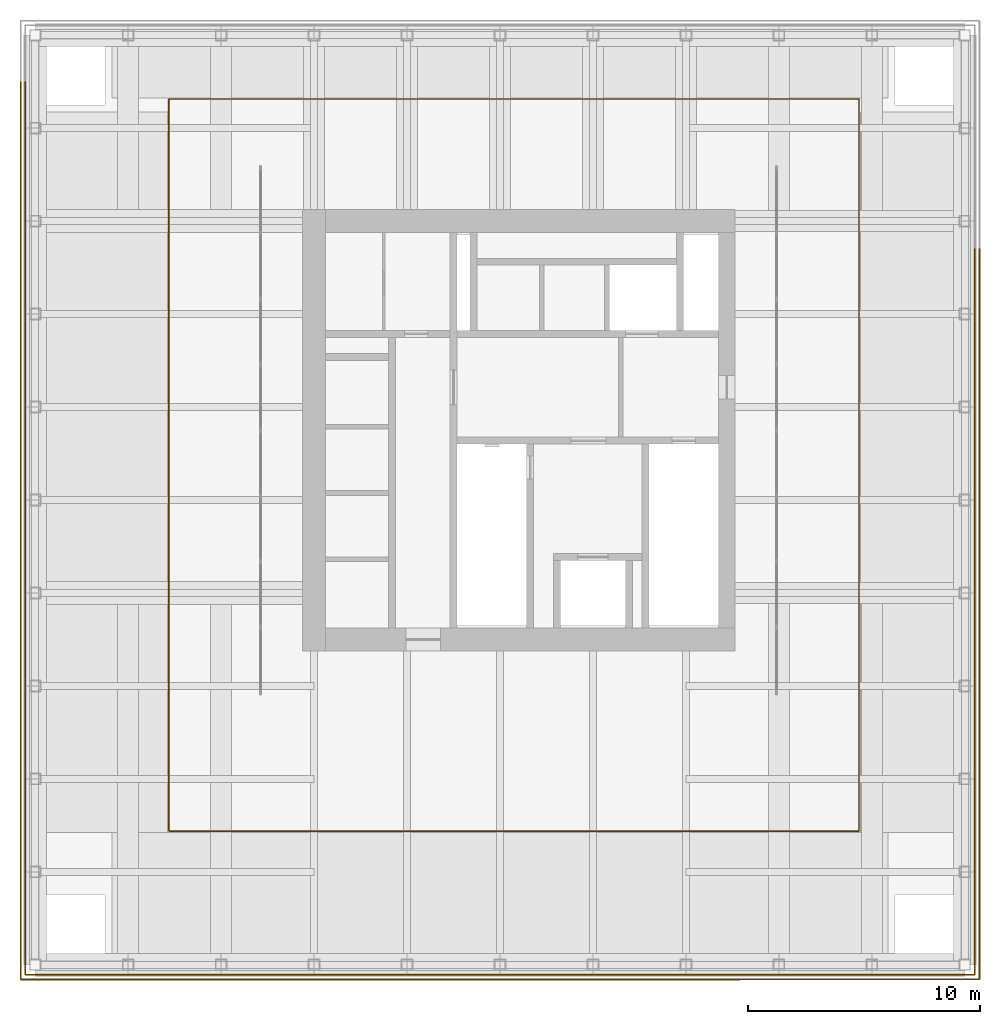
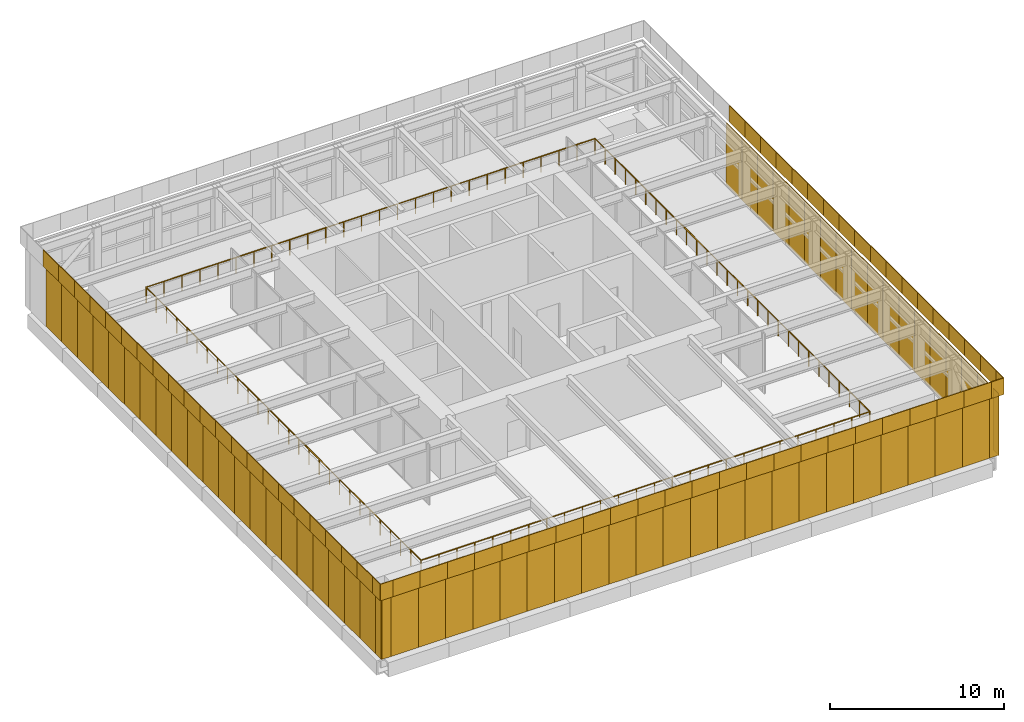
# One storey, part 9 of 11: 64 coverings, 64 shading devices, 2 railings.
"""IFC4 building model written with IfcOpenShell, lengths in metres."""

import ifcopenshell
import ifcopenshell.guid

model = None  # the IFC model being written
_history = None  # IfcOwnerHistory: only IFC2X3 demands one
_inside = {}  # id of a spatial element -> (the spatial element, [elements in it])
_under = {}  # id of a project, library or spatial element -> (it, [spatial elements below it])
_declared = {}  # id of a project -> (the project, [libraries it declares])
_typed = {}  # id of a type object -> (the type object, [elements of that type])
_made_of = {}  # id of a material, layer set ... -> (it, [elements and type objects made of it])


def new_model(schema):
    """Start an empty IFC model of exactly this schema.

    Asked for "IFC4X3", IfcOpenShell would pick the latest addendum, in which some entities
    have other attributes; the version numbers below select the first issue.
    IFC2X3 requires an IfcOwnerHistory on every rooted entity: one is made here for all.
    """
    global model, _history
    if schema == "IFC4X3":
        model = ifcopenshell.file(schema_version=(4, 3, 0, 0))
    else:
        model = ifcopenshell.file(schema=schema)
    _inside.clear()
    _under.clear()
    _declared.clear()
    _typed.clear()
    _made_of.clear()
    _history = None
    if model.schema == "IFC2X3":
        org = make("IfcOrganization", Name="unknown")
        user = make(
            "IfcPersonAndOrganization",
            ThePerson=make("IfcPerson", FamilyName="unknown"),
            TheOrganization=org,
        )
        app = make(
            "IfcApplication",
            ApplicationDeveloper=org,
            Version="unknown",
            ApplicationFullName="unknown",
            ApplicationIdentifier="unknown",
        )
        _history = make(
            "IfcOwnerHistory",
            OwningUser=user,
            OwningApplication=app,
            ChangeAction="ADDED",
            CreationDate=0,
        )
    return model


def make(cls, **values):
    """One entity of the class cls with the attributes given. An attribute that is None is left unset."""
    return model.create_entity(
        cls, **{name: value for name, value in values.items() if value is not None}
    )


def rooted(cls, **values):
    """An entity with a GlobalId (a new one), such as an element, a storey or a relation."""
    return make(cls, GlobalId=ifcopenshell.guid.new(), OwnerHistory=_history, **values)


def si_unit(unit_type, name, prefix=None):
    """IfcSIUnit, for example si_unit("LENGTHUNIT", "METRE", prefix="MILLI")."""
    return make("IfcSIUnit", UnitType=unit_type, Prefix=prefix, Name=name)


def assignment(units):
    """IfcUnitAssignment: the units of a project."""
    return None if units is None else make("IfcUnitAssignment", Units=units)


def point(xyz):
    """IfcCartesianPoint."""
    return None if xyz is None else make("IfcCartesianPoint", Coordinates=xyz)


def direction(xyz):
    """IfcDirection."""
    return None if xyz is None else make("IfcDirection", DirectionRatios=xyz)


def frame(location, z_axis=None, x_axis=None):
    """IfcAxis2Placement3D, a coordinate frame: its origin and axes. An axis left out is left unset."""
    return make(
        "IfcAxis2Placement3D",
        Location=point(location),
        Axis=direction(z_axis),
        RefDirection=direction(x_axis),
    )


def frame_2d(location, x_axis=None):
    """IfcAxis2Placement2D, a coordinate frame in the plane: its origin and x axis."""
    return make(
        "IfcAxis2Placement2D", Location=point(location), RefDirection=direction(x_axis)
    )


def origin():
    """The frame at (0, 0, 0) with its axes left unset."""
    return frame((0.0, 0.0, 0.0))


def origin_2d():
    """The frame at (0, 0) in the plane with its x axis left unset."""
    return frame_2d((0.0, 0.0))


def place(relative_to, where):
    """IfcLocalPlacement: puts the frame where relative to a parent placement (None: the world)."""
    return make(
        "IfcLocalPlacement", PlacementRelTo=relative_to, RelativePlacement=where
    )


def context(
    kind, dimensions, precision=None, world=None, true_north=None, identifier=None
):
    """IfcGeometricRepresentationContext, for example the 3D "Model" context."""
    return make(
        "IfcGeometricRepresentationContext",
        ContextIdentifier=identifier,
        ContextType=kind,
        CoordinateSpaceDimension=dimensions,
        Precision=precision,
        WorldCoordinateSystem=world,
        TrueNorth=true_north,
    )


def subcontext(parent, identifier, kind, view, scale=None):
    """IfcGeometricRepresentationSubContext, for example "Body" below "Model"."""
    return make(
        "IfcGeometricRepresentationSubContext",
        ContextIdentifier=identifier,
        ContextType=kind,
        ParentContext=parent,
        TargetScale=scale,
        TargetView=view,
    )


def project(units=None, contexts=None):
    """IfcProject with its units and contexts."""
    return rooted(
        "IfcProject",
        Name="project",
        RepresentationContexts=contexts,
        UnitsInContext=assignment(units),
    )


def spatial(cls, under=None, at=None, **own):
    """A site, building, storey or space (cls), placed at a placement, below another one or the project."""
    s = rooted(cls, ObjectPlacement=at, **own)
    if under is not None:
        _under.setdefault(under.id(), (under, []))[1].append(s)
    return s


def profile(cls, at=None, kind="AREA", **sizes):
    """A parametric profile (cls). Its sizes go by their IFC names, for example OverallWidth=200.0."""
    return make(cls, ProfileType=kind, Position=at, **sizes)


def rectangle(**sizes):
    """IfcRectangleProfileDef."""
    return profile("IfcRectangleProfileDef", **sizes)


def circle(**sizes):
    """IfcCircleProfileDef."""
    return profile("IfcCircleProfileDef", **sizes)


def extrude(swept, where, along, depth):
    """IfcExtrudedAreaSolid: the profile swept, set in the frame where, extruded along a direction by depth."""
    return make(
        "IfcExtrudedAreaSolid",
        SweptArea=swept,
        Position=where,
        ExtrudedDirection=direction(along),
        Depth=depth,
    )


def shape(context_of_items, identifier, shape_type, items):
    """IfcShapeRepresentation: the items that make up one representation, for example the "Body"."""
    return make(
        "IfcShapeRepresentation",
        ContextOfItems=context_of_items,
        RepresentationIdentifier=identifier,
        RepresentationType=shape_type,
        Items=items,
    )


def material(Name=None, Category=None):
    """IfcMaterial."""
    return make("IfcMaterial", Name=Name, Category=Category)


def layer(
    of_material, thickness, ventilated=None, Name=None, Category=None, Priority=None
):
    """IfcMaterialLayer: one layer of a wall or slab, of a material (None: an air gap)."""
    return make(
        "IfcMaterialLayer",
        Material=of_material,
        LayerThickness=thickness,
        IsVentilated=ventilated,
        Name=Name,
        Category=Category,
        Priority=Priority,
    )


def layer_set(layers, Name=None):
    """IfcMaterialLayerSet."""
    return make("IfcMaterialLayerSet", MaterialLayers=layers, LayerSetName=Name)


def made_of(thing, what):
    """Note that an element or type object is made of a material, layer set ...; save() writes the relation."""
    if what is not None:
        _made_of.setdefault(what.id(), (what, []))[1].append(thing)
    return thing


def type_object(cls, material=None, **own):
    """A type object (cls), such as IfcWallType, which elements share."""
    return made_of(rooted(cls, **own), material)


def element(
    cls,
    number,
    at=None,
    inside=None,
    cuts=None,
    type_object=None,
    material=None,
    context=None,
    identifier="Body",
    shape_type=None,
    held_by="IfcProductDefinitionShape",
    body=None,
    shapes=None,
    **own,
):
    """One element of the class cls, such as IfcWall. Its Tag is "e" and its number.

    at: its placement. inside: the storey or other place that contains it. cuts: it is an
    opening in that element (IfcRelVoidsElement). A single representation is given by context,
    identifier, shape_type and body (its items); several are given by shapes. held_by: the class
    of the entity that holds the representations. save() writes the other relations.
    """
    e = rooted(cls, Tag="e%d" % number, ObjectPlacement=at, **own)
    if body is not None:
        shapes = [shape(context, identifier, shape_type, body)]
    if shapes is not None:
        e.Representation = make(held_by, Representations=shapes)
    if inside is not None:
        _inside.setdefault(inside.id(), (inside, []))[1].append(e)
    if cuts is not None:
        rooted(
            "IfcRelVoidsElement", RelatingBuildingElement=cuts, RelatedOpeningElement=e
        )
    if type_object is not None:
        _typed.setdefault(type_object.id(), (type_object, []))[1].append(e)
    return made_of(e, material)


def aggregate(whole, parts):
    """IfcRelAggregates: a whole, such as a stair, and the parts it consists of."""
    return rooted("IfcRelAggregates", RelatingObject=whole, RelatedObjects=parts)


def save(model, path):
    """Write the relations noted so far, then the file.

    IfcRelAggregates (storeys below a building ...), IfcRelContainedInSpatialStructure (elements
    in a storey), IfcRelDefinesByType, IfcRelAssociatesMaterial and IfcRelDeclares: one each for
    every whole, place, type object, material and project.
    """
    for whole, parts in _under.values():
        aggregate(whole, parts)
    for where, things in _inside.values():
        rooted(
            "IfcRelContainedInSpatialStructure",
            RelatedElements=things,
            RelatingStructure=where,
        )
    for kind, things in _typed.values():
        rooted("IfcRelDefinesByType", RelatedObjects=things, RelatingType=kind)
    for what, things in _made_of.values():
        rooted("IfcRelAssociatesMaterial", RelatedObjects=things, RelatingMaterial=what)
    for by, libraries in _declared.values():
        rooted("IfcRelDeclares", RelatingContext=by, RelatedDefinitions=libraries)
    model.write(path)


model = new_model("IFC4")

# Units and contexts
model_context = context("Model", 3, precision=1e-05, world=origin(), true_north=direction((0.0, 1.0)))
body_context = subcontext(model_context, "Body", "Model", "MODEL_VIEW")
ifc_project = project(units=[si_unit("LENGTHUNIT", "METRE"), si_unit("AREAUNIT", "SQUARE_METRE"), si_unit("VOLUMEUNIT", "CUBIC_METRE"), si_unit("PLANEANGLEUNIT", "RADIAN"), si_unit("MASSUNIT", "GRAM", prefix="KILO")], contexts=[model_context])

# Site, building, storey
site_placement = place(None, origin())
site = spatial("IfcSite", under=ifc_project, at=site_placement, CompositionType="ELEMENT")
building_placement = place(site_placement, origin())
building = spatial("IfcBuilding", under=site, at=building_placement, Name="Rimbunsela Tower", CompositionType="ELEMENT")
storey_placement = place(building_placement, frame((0.0, 0.0, 304.199951171875)))
storey = spatial("IfcBuildingStorey", under=building, at=storey_placement, Name="RF", CompositionType="ELEMENT", Elevation=304.199951171875)

# Coverings
ifc_material_1 = material(Name="Solid aluminium panel", Category="aluminium")
ifc_layer_1 = layer(ifc_material_1, 0.050048828125)
ifc_layer_set_1 = layer_set([ifc_layer_1], Name="Crown fascia closer 825")
covering_type_1 = type_object("IfcCoveringType", Name="Crown fascia closer 825", PredefinedType="CLADDING", material=ifc_layer_set_1)
for number, where, z_axis, x_axis, name in (
    (1, (5.78759765625, 3.375, 4.35009765625), (0.0, 0.0, 1.0), (1.0, 0.0, 0.0), "Crown fascia S RF"),
    (2, (46.21240234375, 3.375, 4.35009765625), (0.0, 0.0, 1.0), (1.0, 0.0, 0.0), "Crown fascia S RF"),
    (3, (46.625, 3.78759765625, 4.35009765625), (0.0, 0.0, 1.0), (0.0, 1.0, 0.0), "Crown fascia E RF"),
    (4, (5.375, 3.78759765625, 4.35009765625), (0.0, 0.0, 1.0), (0.0, 1.0, 0.0), "Crown fascia W RF"),
):
    element("IfcCovering", number, at=place(storey_placement, frame(where, z_axis=z_axis, x_axis=x_axis)), inside=storey, type_object=covering_type_1, Name=name, PredefinedType="CLADDING", context=body_context, shape_type="SweptSolid", body=[
        extrude(rectangle(XDim=0.824951171875, YDim=0.050048828125, at=origin_2d()), origin(), (0.0, 0.0, 1.0), 1.14990234375),
    ])
ifc_material_2 = material(Name="Solid aluminium panel", Category="aluminium")
ifc_layer_2 = layer(ifc_material_2, 0.050048828125)
ifc_layer_set_2 = layer_set([ifc_layer_2], Name="Crown fascia panel 1800")
covering_type_2 = type_object("IfcCoveringType", Name="Crown fascia panel 1800", PredefinedType="CLADDING", material=ifc_layer_set_2)
for number, where, z_axis, x_axis, name in (
    (5, (7.10009765625, 3.375, 4.35009765625), (0.0, 0.0, 1.0), (1.0, 0.0, 0.0), "Crown fascia S RF"),
    (6, (8.89990234375, 3.375, 4.35009765625), (0.0, 0.0, 1.0), (1.0, 0.0, 0.0), "Crown fascia S RF"),
    (7, (10.699951171875, 3.375, 4.35009765625), (0.0, 0.0, 1.0), (1.0, 0.0, 0.0), "Crown fascia S RF"),
    (8, (12.5, 3.375, 4.35009765625), (0.0, 0.0, 1.0), (1.0, 0.0, 0.0), "Crown fascia S RF"),
    (9, (14.300048828125, 3.375, 4.35009765625), (0.0, 0.0, 1.0), (1.0, 0.0, 0.0), "Crown fascia S RF"),
    (10, (16.10009765625, 3.375, 4.35009765625), (0.0, 0.0, 1.0), (1.0, 0.0, 0.0), "Crown fascia S RF"),
    (11, (17.89990234375, 3.375, 4.35009765625), (0.0, 0.0, 1.0), (1.0, 0.0, 0.0), "Crown fascia S RF"),
    (12, (19.699951171875, 3.375, 4.35009765625), (0.0, 0.0, 1.0), (1.0, 0.0, 0.0), "Crown fascia S RF"),
    (13, (21.5, 3.375, 4.35009765625), (0.0, 0.0, 1.0), (1.0, 0.0, 0.0), "Crown fascia S RF"),
    (14, (23.300048828125, 3.375, 4.35009765625), (0.0, 0.0, 1.0), (1.0, 0.0, 0.0), "Crown fascia S RF"),
    (15, (25.10009765625, 3.375, 4.35009765625), (0.0, 0.0, 1.0), (1.0, 0.0, 0.0), "Crown fascia S RF"),
    (16, (26.89990234375, 3.375, 4.35009765625), (0.0, 0.0, 1.0), (1.0, 0.0, 0.0), "Crown fascia S RF"),
    (17, (28.699951171875, 3.375, 4.35009765625), (0.0, 0.0, 1.0), (1.0, 0.0, 0.0), "Crown fascia S RF"),
    (18, (30.5, 3.375, 4.35009765625), (0.0, 0.0, 1.0), (1.0, 0.0, 0.0), "Crown fascia S RF"),
    (19, (32.300048828125, 3.375, 4.35009765625), (0.0, 0.0, 1.0), (1.0, 0.0, 0.0), "Crown fascia S RF"),
    (20, (34.10009765625, 3.375, 4.35009765625), (0.0, 0.0, 1.0), (1.0, 0.0, 0.0), "Crown fascia S RF"),
    (21, (35.89990234375, 3.375, 4.35009765625), (0.0, 0.0, 1.0), (1.0, 0.0, 0.0), "Crown fascia S RF"),
    (22, (37.699951171875, 3.375, 4.35009765625), (0.0, 0.0, 1.0), (1.0, 0.0, 0.0), "Crown fascia S RF"),
    (23, (39.5, 3.375, 4.35009765625), (0.0, 0.0, 1.0), (1.0, 0.0, 0.0), "Crown fascia S RF"),
    (24, (41.300048828125, 3.375, 4.35009765625), (0.0, 0.0, 1.0), (1.0, 0.0, 0.0), "Crown fascia S RF"),
    (25, (43.10009765625, 3.375, 4.35009765625), (0.0, 0.0, 1.0), (1.0, 0.0, 0.0), "Crown fascia S RF"),
    (26, (44.89990234375, 3.375, 4.35009765625), (0.0, 0.0, 1.0), (1.0, 0.0, 0.0), "Crown fascia S RF"),
    (27, (46.625, 5.10009765625, 4.35009765625), (0.0, 0.0, 1.0), (0.0, 1.0, 0.0), "Crown fascia E RF"),
    (28, (46.625, 6.89990234375, 4.35009765625), (0.0, 0.0, 1.0), (0.0, 1.0, 0.0), "Crown fascia E RF"),
    (29, (46.625, 8.699951171875, 4.35009765625), (0.0, 0.0, 1.0), (0.0, 1.0, 0.0), "Crown fascia E RF"),
    (30, (46.625, 10.5, 4.35009765625), (0.0, 0.0, 1.0), (0.0, 1.0, 0.0), "Crown fascia E RF"),
    (31, (46.625, 12.300048828125, 4.35009765625), (0.0, 0.0, 1.0), (0.0, 1.0, 0.0), "Crown fascia E RF"),
    (32, (46.625, 14.10009765625, 4.35009765625), (0.0, 0.0, 1.0), (0.0, 1.0, 0.0), "Crown fascia E RF"),
    (33, (46.625, 15.89990234375, 4.35009765625), (0.0, 0.0, 1.0), (0.0, 1.0, 0.0), "Crown fascia E RF"),
    (34, (46.625, 17.699951171875, 4.35009765625), (0.0, 0.0, 1.0), (0.0, 1.0, 0.0), "Crown fascia E RF"),
    (35, (46.625, 19.5, 4.35009765625), (0.0, 0.0, 1.0), (0.0, 1.0, 0.0), "Crown fascia E RF"),
    (36, (46.625, 21.300048828125, 4.35009765625), (0.0, 0.0, 1.0), (0.0, 1.0, 0.0), "Crown fascia E RF"),
    (37, (46.625, 23.10009765625, 4.35009765625), (0.0, 0.0, 1.0), (0.0, 1.0, 0.0), "Crown fascia E RF"),
    (38, (46.625, 24.89990234375, 4.35009765625), (0.0, 0.0, 1.0), (0.0, 1.0, 0.0), "Crown fascia E RF"),
    (39, (46.625, 26.699951171875, 4.35009765625), (0.0, 0.0, 1.0), (0.0, 1.0, 0.0), "Crown fascia E RF"),
    (40, (46.625, 28.5, 4.35009765625), (0.0, 0.0, 1.0), (0.0, 1.0, 0.0), "Crown fascia E RF"),
    (41, (46.625, 30.300048828125, 4.35009765625), (0.0, 0.0, 1.0), (0.0, 1.0, 0.0), "Crown fascia E RF"),
    (42, (46.625, 32.10009765625, 4.35009765625), (0.0, 0.0, 1.0), (0.0, 1.0, 0.0), "Crown fascia E RF"),
    (43, (46.625, 33.89990234375, 4.35009765625), (0.0, 0.0, 1.0), (0.0, 1.0, 0.0), "Crown fascia E RF"),
    (44, (5.375, 41.10009765625, 4.35009765625), (0.0, 0.0, 1.0), (0.0, 1.0, 0.0), "Crown fascia W RF"),
    (45, (5.375, 39.300048828125, 4.35009765625), (0.0, 0.0, 1.0), (0.0, 1.0, 0.0), "Crown fascia W RF"),
    (46, (5.375, 37.5, 4.35009765625), (0.0, 0.0, 1.0), (0.0, 1.0, 0.0), "Crown fascia W RF"),
    (47, (5.375, 35.699951171875, 4.35009765625), (0.0, 0.0, 1.0), (0.0, 1.0, 0.0), "Crown fascia W RF"),
    (48, (5.375, 33.89990234375, 4.35009765625), (0.0, 0.0, 1.0), (0.0, 1.0, 0.0), "Crown fascia W RF"),
    (49, (5.375, 32.10009765625, 4.35009765625), (0.0, 0.0, 1.0), (0.0, 1.0, 0.0), "Crown fascia W RF"),
    (50, (5.375, 30.300048828125, 4.35009765625), (0.0, 0.0, 1.0), (0.0, 1.0, 0.0), "Crown fascia W RF"),
    (51, (5.375, 28.5, 4.35009765625), (0.0, 0.0, 1.0), (0.0, 1.0, 0.0), "Crown fascia W RF"),
    (52, (5.375, 26.699951171875, 4.35009765625), (0.0, 0.0, 1.0), (0.0, 1.0, 0.0), "Crown fascia W RF"),
    (53, (5.375, 24.89990234375, 4.35009765625), (0.0, 0.0, 1.0), (0.0, 1.0, 0.0), "Crown fascia W RF"),
    (54, (5.375, 23.10009765625, 4.35009765625), (0.0, 0.0, 1.0), (0.0, 1.0, 0.0), "Crown fascia W RF"),
    (55, (5.375, 21.300048828125, 4.35009765625), (0.0, 0.0, 1.0), (0.0, 1.0, 0.0), "Crown fascia W RF"),
    (56, (5.375, 19.5, 4.35009765625), (0.0, 0.0, 1.0), (0.0, 1.0, 0.0), "Crown fascia W RF"),
    (57, (5.375, 17.699951171875, 4.35009765625), (0.0, 0.0, 1.0), (0.0, 1.0, 0.0), "Crown fascia W RF"),
    (58, (5.375, 15.89990234375, 4.35009765625), (0.0, 0.0, 1.0), (0.0, 1.0, 0.0), "Crown fascia W RF"),
    (59, (5.375, 14.10009765625, 4.35009765625), (0.0, 0.0, 1.0), (0.0, 1.0, 0.0), "Crown fascia W RF"),
    (60, (5.375, 12.300048828125, 4.35009765625), (0.0, 0.0, 1.0), (0.0, 1.0, 0.0), "Crown fascia W RF"),
    (61, (5.375, 10.5, 4.35009765625), (0.0, 0.0, 1.0), (0.0, 1.0, 0.0), "Crown fascia W RF"),
    (62, (5.375, 8.699951171875, 4.35009765625), (0.0, 0.0, 1.0), (0.0, 1.0, 0.0), "Crown fascia W RF"),
    (63, (5.375, 6.89990234375, 4.35009765625), (0.0, 0.0, 1.0), (0.0, 1.0, 0.0), "Crown fascia W RF"),
    (64, (5.375, 5.10009765625, 4.35009765625), (0.0, 0.0, 1.0), (0.0, 1.0, 0.0), "Crown fascia W RF"),
):
    element("IfcCovering", number, at=place(storey_placement, frame(where, z_axis=z_axis, x_axis=x_axis)), inside=storey, type_object=covering_type_2, Name=name, PredefinedType="CLADDING", context=body_context, shape_type="SweptSolid", body=[
        extrude(rectangle(XDim=1.800048828125, YDim=0.050048828125, at=origin_2d()), origin(), (0.0, 0.0, 1.0), 1.14990234375),
    ])

# Railings
ifc_material_3 = material(Name="Stainless steel guard", Category="steel")
railing_type = type_object("IfcRailingType", Name="Roof garden guard 1100", PredefinedType="GUARDRAIL", material=ifc_material_3)
railing_1_placement = place(storey_placement, frame((41.449951171875, 9.75, 0.0)))
element("IfcRailing", 65, at=railing_1_placement, inside=storey, type_object=railing_type, Name="Sky garden guard", PredefinedType="GUARDRAIL", context=body_context, shape_type="SweptSolid", body=[
    extrude(circle(Radius=0.02392578125, at=origin_2d()), frame((0.0, 0.0, 1.076171875), z_axis=(-1.0, 0.0, 0.0), x_axis=(0.0, -1.0, 0.0)), (0.0, 0.0, 1.0), 29.699951171875),
    extrude(circle(Radius=0.02392578125, at=origin_2d()), frame((-29.699951171875, 0.0, 1.076171875), z_axis=(0.0, 1.0, 0.0), x_axis=(-1.0, 0.0, 0.0)), (0.0, 0.0, 1.0), 31.5),
    extrude(circle(Radius=0.02099609375, at=origin_2d()), origin(), (0.0, 0.0, 1.0), 1.052001953125),
    extrude(circle(Radius=0.02099609375, at=origin_2d()), frame((-1.18798828125, 0.0, 0.0)), (0.0, 0.0, 1.0), 1.052001953125),
    extrude(circle(Radius=0.02099609375, at=origin_2d()), frame((-2.3759765625, 0.0, 0.0)), (0.0, 0.0, 1.0), 1.052001953125),
    extrude(circle(Radius=0.02099609375, at=origin_2d()), frame((-3.56396484375, 0.0, 0.0)), (0.0, 0.0, 1.0), 1.052001953125),
    extrude(circle(Radius=0.02099609375, at=origin_2d()), frame((-4.751953125, 0.0, 0.0)), (0.0, 0.0, 1.0), 1.052001953125),
    extrude(circle(Radius=0.02099609375, at=origin_2d()), frame((-5.93994140625, 0.0, 0.0)), (0.0, 0.0, 1.0), 1.052001953125),
    extrude(circle(Radius=0.02099609375, at=origin_2d()), frame((-7.1279296875, 0.0, 0.0)), (0.0, 0.0, 1.0), 1.052001953125),
    extrude(circle(Radius=0.02099609375, at=origin_2d()), frame((-8.31591796875, 0.0, 0.0)), (0.0, 0.0, 1.0), 1.052001953125),
    extrude(circle(Radius=0.02099609375, at=origin_2d()), frame((-9.50390625, 0.0, 0.0)), (0.0, 0.0, 1.0), 1.052001953125),
    extrude(circle(Radius=0.02099609375, at=origin_2d()), frame((-10.69189453125, 0.0, 0.0)), (0.0, 0.0, 1.0), 1.052001953125),
    extrude(circle(Radius=0.02099609375, at=origin_2d()), frame((-11.8798828125, 0.0, 0.0)), (0.0, 0.0, 1.0), 1.052001953125),
    extrude(circle(Radius=0.02099609375, at=origin_2d()), frame((-13.06787109375, 0.0, 0.0)), (0.0, 0.0, 1.0), 1.052001953125),
    extrude(circle(Radius=0.02099609375, at=origin_2d()), frame((-14.255859375, 0.0, 0.0)), (0.0, 0.0, 1.0), 1.052001953125),
    extrude(circle(Radius=0.02099609375, at=origin_2d()), frame((-15.444091796875, 0.0, 0.0)), (0.0, 0.0, 1.0), 1.052001953125),
    extrude(circle(Radius=0.02099609375, at=origin_2d()), frame((-16.632080078125, 0.0, 0.0)), (0.0, 0.0, 1.0), 1.052001953125),
    extrude(circle(Radius=0.02099609375, at=origin_2d()), frame((-17.820068359375, 0.0, 0.0)), (0.0, 0.0, 1.0), 1.052001953125),
    extrude(circle(Radius=0.02099609375, at=origin_2d()), frame((-19.008056640625, 0.0, 0.0)), (0.0, 0.0, 1.0), 1.052001953125),
    extrude(circle(Radius=0.02099609375, at=origin_2d()), frame((-20.196044921875, 0.0, 0.0)), (0.0, 0.0, 1.0), 1.052001953125),
    extrude(circle(Radius=0.02099609375, at=origin_2d()), frame((-21.384033203125, 0.0, 0.0)), (0.0, 0.0, 1.0), 1.052001953125),
    extrude(circle(Radius=0.02099609375, at=origin_2d()), frame((-22.572021484375, 0.0, 0.0)), (0.0, 0.0, 1.0), 1.052001953125),
    extrude(circle(Radius=0.02099609375, at=origin_2d()), frame((-23.760009765625, 0.0, 0.0)), (0.0, 0.0, 1.0), 1.052001953125),
    extrude(circle(Radius=0.02099609375, at=origin_2d()), frame((-24.947998046875, 0.0, 0.0)), (0.0, 0.0, 1.0), 1.052001953125),
    extrude(circle(Radius=0.02099609375, at=origin_2d()), frame((-26.135986328125, 0.0, 0.0)), (0.0, 0.0, 1.0), 1.052001953125),
    extrude(circle(Radius=0.02099609375, at=origin_2d()), frame((-27.323974609375, 0.0, 0.0)), (0.0, 0.0, 1.0), 1.052001953125),
    extrude(circle(Radius=0.02099609375, at=origin_2d()), frame((-28.511962890625, 0.0, 0.0)), (0.0, 0.0, 1.0), 1.052001953125),
    extrude(circle(Radius=0.02099609375, at=origin_2d()), frame((-29.699951171875, 0.0, 0.0)), (0.0, 0.0, 1.0), 1.052001953125),
    extrude(circle(Radius=0.02099609375, at=origin_2d()), frame((-29.699951171875, 1.166748046875, 0.0)), (0.0, 0.0, 1.0), 1.052001953125),
    extrude(circle(Radius=0.02099609375, at=origin_2d()), frame((-29.699951171875, 2.333251953125, 0.0)), (0.0, 0.0, 1.0), 1.052001953125),
    extrude(circle(Radius=0.02099609375, at=origin_2d()), frame((-29.699951171875, 3.5, 0.0)), (0.0, 0.0, 1.0), 1.052001953125),
    extrude(circle(Radius=0.02099609375, at=origin_2d()), frame((-29.699951171875, 4.666748046875, 0.0)), (0.0, 0.0, 1.0), 1.052001953125),
    extrude(circle(Radius=0.02099609375, at=origin_2d()), frame((-29.699951171875, 5.833251953125, 0.0)), (0.0, 0.0, 1.0), 1.052001953125),
    extrude(circle(Radius=0.02099609375, at=origin_2d()), frame((-29.699951171875, 7.0, 0.0)), (0.0, 0.0, 1.0), 1.052001953125),
    extrude(circle(Radius=0.02099609375, at=origin_2d()), frame((-29.699951171875, 8.166748046875, 0.0)), (0.0, 0.0, 1.0), 1.052001953125),
    extrude(circle(Radius=0.02099609375, at=origin_2d()), frame((-29.699951171875, 9.333251953125, 0.0)), (0.0, 0.0, 1.0), 1.052001953125),
    extrude(circle(Radius=0.02099609375, at=origin_2d()), frame((-29.699951171875, 10.5, 0.0)), (0.0, 0.0, 1.0), 1.052001953125),
    extrude(circle(Radius=0.02099609375, at=origin_2d()), frame((-29.699951171875, 11.666748046875, 0.0)), (0.0, 0.0, 1.0), 1.052001953125),
    extrude(circle(Radius=0.02099609375, at=origin_2d()), frame((-29.699951171875, 12.833251953125, 0.0)), (0.0, 0.0, 1.0), 1.052001953125),
    extrude(circle(Radius=0.02099609375, at=origin_2d()), frame((-29.699951171875, 14.0, 0.0)), (0.0, 0.0, 1.0), 1.052001953125),
    extrude(circle(Radius=0.02099609375, at=origin_2d()), frame((-29.699951171875, 15.166748046875, 0.0)), (0.0, 0.0, 1.0), 1.052001953125),
    extrude(circle(Radius=0.02099609375, at=origin_2d()), frame((-29.699951171875, 16.333251953125, 0.0)), (0.0, 0.0, 1.0), 1.052001953125),
    extrude(circle(Radius=0.02099609375, at=origin_2d()), frame((-29.699951171875, 17.5, 0.0)), (0.0, 0.0, 1.0), 1.052001953125),
    extrude(circle(Radius=0.02099609375, at=origin_2d()), frame((-29.699951171875, 18.666748046875, 0.0)), (0.0, 0.0, 1.0), 1.052001953125),
    extrude(circle(Radius=0.02099609375, at=origin_2d()), frame((-29.699951171875, 19.833251953125, 0.0)), (0.0, 0.0, 1.0), 1.052001953125),
    extrude(circle(Radius=0.02099609375, at=origin_2d()), frame((-29.699951171875, 21.0, 0.0)), (0.0, 0.0, 1.0), 1.052001953125),
    extrude(circle(Radius=0.02099609375, at=origin_2d()), frame((-29.699951171875, 22.166748046875, 0.0)), (0.0, 0.0, 1.0), 1.052001953125),
    extrude(circle(Radius=0.02099609375, at=origin_2d()), frame((-29.699951171875, 23.333251953125, 0.0)), (0.0, 0.0, 1.0), 1.052001953125),
    extrude(circle(Radius=0.02099609375, at=origin_2d()), frame((-29.699951171875, 24.5, 0.0)), (0.0, 0.0, 1.0), 1.052001953125),
    extrude(circle(Radius=0.02099609375, at=origin_2d()), frame((-29.699951171875, 25.666748046875, 0.0)), (0.0, 0.0, 1.0), 1.052001953125),
    extrude(circle(Radius=0.02099609375, at=origin_2d()), frame((-29.699951171875, 26.833251953125, 0.0)), (0.0, 0.0, 1.0), 1.052001953125),
    extrude(circle(Radius=0.02099609375, at=origin_2d()), frame((-29.699951171875, 28.0, 0.0)), (0.0, 0.0, 1.0), 1.052001953125),
    extrude(circle(Radius=0.02099609375, at=origin_2d()), frame((-29.699951171875, 29.166748046875, 0.0)), (0.0, 0.0, 1.0), 1.052001953125),
    extrude(circle(Radius=0.02099609375, at=origin_2d()), frame((-29.699951171875, 30.333251953125, 0.0)), (0.0, 0.0, 1.0), 1.052001953125),
    extrude(circle(Radius=0.02099609375, at=origin_2d()), frame((-29.699951171875, 31.5, 0.0)), (0.0, 0.0, 1.0), 1.052001953125),
])
railing_2_placement = place(storey_placement, frame((11.75, 41.25, 0.0)))
element("IfcRailing", 66, at=railing_2_placement, inside=storey, type_object=railing_type, Name="Sky garden guard", PredefinedType="GUARDRAIL", context=body_context, shape_type="SweptSolid", body=[
    extrude(circle(Radius=0.02392578125, at=origin_2d()), frame((0.0, 0.0, 1.076171875), z_axis=(1.0, 0.0, 0.0), x_axis=(0.0, 1.0, 0.0)), (0.0, 0.0, 1.0), 29.699951171875),
    extrude(circle(Radius=0.02392578125, at=origin_2d()), frame((29.699951171875, 0.0, 1.076171875), z_axis=(0.0, -1.0, 0.0), x_axis=(1.0, 0.0, 0.0)), (0.0, 0.0, 1.0), 31.5),
    extrude(circle(Radius=0.02099609375, at=origin_2d()), origin(), (0.0, 0.0, 1.0), 1.052001953125),
    extrude(circle(Radius=0.02099609375, at=origin_2d()), frame((1.18798828125, 0.0, 0.0)), (0.0, 0.0, 1.0), 1.052001953125),
    extrude(circle(Radius=0.02099609375, at=origin_2d()), frame((2.3759765625, 0.0, 0.0)), (0.0, 0.0, 1.0), 1.052001953125),
    extrude(circle(Radius=0.02099609375, at=origin_2d()), frame((3.56396484375, 0.0, 0.0)), (0.0, 0.0, 1.0), 1.052001953125),
    extrude(circle(Radius=0.02099609375, at=origin_2d()), frame((4.751953125, 0.0, 0.0)), (0.0, 0.0, 1.0), 1.052001953125),
    extrude(circle(Radius=0.02099609375, at=origin_2d()), frame((5.93994140625, 0.0, 0.0)), (0.0, 0.0, 1.0), 1.052001953125),
    extrude(circle(Radius=0.02099609375, at=origin_2d()), frame((7.1279296875, 0.0, 0.0)), (0.0, 0.0, 1.0), 1.052001953125),
    extrude(circle(Radius=0.02099609375, at=origin_2d()), frame((8.31591796875, 0.0, 0.0)), (0.0, 0.0, 1.0), 1.052001953125),
    extrude(circle(Radius=0.02099609375, at=origin_2d()), frame((9.50390625, 0.0, 0.0)), (0.0, 0.0, 1.0), 1.052001953125),
    extrude(circle(Radius=0.02099609375, at=origin_2d()), frame((10.69189453125, 0.0, 0.0)), (0.0, 0.0, 1.0), 1.052001953125),
    extrude(circle(Radius=0.02099609375, at=origin_2d()), frame((11.8798828125, 0.0, 0.0)), (0.0, 0.0, 1.0), 1.052001953125),
    extrude(circle(Radius=0.02099609375, at=origin_2d()), frame((13.06787109375, 0.0, 0.0)), (0.0, 0.0, 1.0), 1.052001953125),
    extrude(circle(Radius=0.02099609375, at=origin_2d()), frame((14.255859375, 0.0, 0.0)), (0.0, 0.0, 1.0), 1.052001953125),
    extrude(circle(Radius=0.02099609375, at=origin_2d()), frame((15.444091796875, 0.0, 0.0)), (0.0, 0.0, 1.0), 1.052001953125),
    extrude(circle(Radius=0.02099609375, at=origin_2d()), frame((16.632080078125, 0.0, 0.0)), (0.0, 0.0, 1.0), 1.052001953125),
    extrude(circle(Radius=0.02099609375, at=origin_2d()), frame((17.820068359375, 0.0, 0.0)), (0.0, 0.0, 1.0), 1.052001953125),
    extrude(circle(Radius=0.02099609375, at=origin_2d()), frame((19.008056640625, 0.0, 0.0)), (0.0, 0.0, 1.0), 1.052001953125),
    extrude(circle(Radius=0.02099609375, at=origin_2d()), frame((20.196044921875, 0.0, 0.0)), (0.0, 0.0, 1.0), 1.052001953125),
    extrude(circle(Radius=0.02099609375, at=origin_2d()), frame((21.384033203125, 0.0, 0.0)), (0.0, 0.0, 1.0), 1.052001953125),
    extrude(circle(Radius=0.02099609375, at=origin_2d()), frame((22.572021484375, 0.0, 0.0)), (0.0, 0.0, 1.0), 1.052001953125),
    extrude(circle(Radius=0.02099609375, at=origin_2d()), frame((23.760009765625, 0.0, 0.0)), (0.0, 0.0, 1.0), 1.052001953125),
    extrude(circle(Radius=0.02099609375, at=origin_2d()), frame((24.947998046875, 0.0, 0.0)), (0.0, 0.0, 1.0), 1.052001953125),
    extrude(circle(Radius=0.02099609375, at=origin_2d()), frame((26.135986328125, 0.0, 0.0)), (0.0, 0.0, 1.0), 1.052001953125),
    extrude(circle(Radius=0.02099609375, at=origin_2d()), frame((27.323974609375, 0.0, 0.0)), (0.0, 0.0, 1.0), 1.052001953125),
    extrude(circle(Radius=0.02099609375, at=origin_2d()), frame((28.511962890625, 0.0, 0.0)), (0.0, 0.0, 1.0), 1.052001953125),
    extrude(circle(Radius=0.02099609375, at=origin_2d()), frame((29.699951171875, 0.0, 0.0)), (0.0, 0.0, 1.0), 1.052001953125),
    extrude(circle(Radius=0.02099609375, at=origin_2d()), frame((29.699951171875, -1.166748046875, 0.0)), (0.0, 0.0, 1.0), 1.052001953125),
    extrude(circle(Radius=0.02099609375, at=origin_2d()), frame((29.699951171875, -2.333251953125, 0.0)), (0.0, 0.0, 1.0), 1.052001953125),
    extrude(circle(Radius=0.02099609375, at=origin_2d()), frame((29.699951171875, -3.5, 0.0)), (0.0, 0.0, 1.0), 1.052001953125),
    extrude(circle(Radius=0.02099609375, at=origin_2d()), frame((29.699951171875, -4.666748046875, 0.0)), (0.0, 0.0, 1.0), 1.052001953125),
    extrude(circle(Radius=0.02099609375, at=origin_2d()), frame((29.699951171875, -5.833251953125, 0.0)), (0.0, 0.0, 1.0), 1.052001953125),
    extrude(circle(Radius=0.02099609375, at=origin_2d()), frame((29.699951171875, -7.0, 0.0)), (0.0, 0.0, 1.0), 1.052001953125),
    extrude(circle(Radius=0.02099609375, at=origin_2d()), frame((29.699951171875, -8.166748046875, 0.0)), (0.0, 0.0, 1.0), 1.052001953125),
    extrude(circle(Radius=0.02099609375, at=origin_2d()), frame((29.699951171875, -9.333251953125, 0.0)), (0.0, 0.0, 1.0), 1.052001953125),
    extrude(circle(Radius=0.02099609375, at=origin_2d()), frame((29.699951171875, -10.5, 0.0)), (0.0, 0.0, 1.0), 1.052001953125),
    extrude(circle(Radius=0.02099609375, at=origin_2d()), frame((29.699951171875, -11.666748046875, 0.0)), (0.0, 0.0, 1.0), 1.052001953125),
    extrude(circle(Radius=0.02099609375, at=origin_2d()), frame((29.699951171875, -12.833251953125, 0.0)), (0.0, 0.0, 1.0), 1.052001953125),
    extrude(circle(Radius=0.02099609375, at=origin_2d()), frame((29.699951171875, -14.0, 0.0)), (0.0, 0.0, 1.0), 1.052001953125),
    extrude(circle(Radius=0.02099609375, at=origin_2d()), frame((29.699951171875, -15.166748046875, 0.0)), (0.0, 0.0, 1.0), 1.052001953125),
    extrude(circle(Radius=0.02099609375, at=origin_2d()), frame((29.699951171875, -16.333251953125, 0.0)), (0.0, 0.0, 1.0), 1.052001953125),
    extrude(circle(Radius=0.02099609375, at=origin_2d()), frame((29.699951171875, -17.5, 0.0)), (0.0, 0.0, 1.0), 1.052001953125),
    extrude(circle(Radius=0.02099609375, at=origin_2d()), frame((29.699951171875, -18.666748046875, 0.0)), (0.0, 0.0, 1.0), 1.052001953125),
    extrude(circle(Radius=0.02099609375, at=origin_2d()), frame((29.699951171875, -19.833251953125, 0.0)), (0.0, 0.0, 1.0), 1.052001953125),
    extrude(circle(Radius=0.02099609375, at=origin_2d()), frame((29.699951171875, -21.0, 0.0)), (0.0, 0.0, 1.0), 1.052001953125),
    extrude(circle(Radius=0.02099609375, at=origin_2d()), frame((29.699951171875, -22.166748046875, 0.0)), (0.0, 0.0, 1.0), 1.052001953125),
    extrude(circle(Radius=0.02099609375, at=origin_2d()), frame((29.699951171875, -23.333251953125, 0.0)), (0.0, 0.0, 1.0), 1.052001953125),
    extrude(circle(Radius=0.02099609375, at=origin_2d()), frame((29.699951171875, -24.5, 0.0)), (0.0, 0.0, 1.0), 1.052001953125),
    extrude(circle(Radius=0.02099609375, at=origin_2d()), frame((29.699951171875, -25.666748046875, 0.0)), (0.0, 0.0, 1.0), 1.052001953125),
    extrude(circle(Radius=0.02099609375, at=origin_2d()), frame((29.699951171875, -26.833251953125, 0.0)), (0.0, 0.0, 1.0), 1.052001953125),
    extrude(circle(Radius=0.02099609375, at=origin_2d()), frame((29.699951171875, -28.0, 0.0)), (0.0, 0.0, 1.0), 1.052001953125),
    extrude(circle(Radius=0.02099609375, at=origin_2d()), frame((29.699951171875, -29.166748046875, 0.0)), (0.0, 0.0, 1.0), 1.052001953125),
    extrude(circle(Radius=0.02099609375, at=origin_2d()), frame((29.699951171875, -30.333251953125, 0.0)), (0.0, 0.0, 1.0), 1.052001953125),
    extrude(circle(Radius=0.02099609375, at=origin_2d()), frame((29.699951171875, -31.5, 0.0)), (0.0, 0.0, 1.0), 1.052001953125),
])

# Shading devices
ifc_material_4 = material(Name="Perforated aluminium, 35 % open area", Category="aluminium")
ifc_layer_3 = layer(ifc_material_4, 0.050048828125)
ifc_layer_set_3 = layer_set([ifc_layer_3], Name="Solar screen closer 625")
shading_device_type_1 = type_object("IfcShadingDeviceType", Name="Solar screen closer 625", PredefinedType="USERDEFINED", material=ifc_layer_set_3)
for number, where, z_axis, x_axis, name in (
    (67, (5.887451171875, 3.574951171875, 0.0498046875), (0.0, 0.0, 1.0), (1.0, 0.0, 0.0), "Crown screen S RF"),
    (68, (46.112548828125, 3.574951171875, 0.0498046875), (0.0, 0.0, 1.0), (1.0, 0.0, 0.0), "Crown screen S RF"),
    (69, (46.425048828125, 3.887451171875, 0.0498046875), (0.0, 0.0, 1.0), (0.0, 1.0, 0.0), "Crown screen E RF"),
    (70, (5.574951171875, 3.887451171875, 0.0498046875), (0.0, 0.0, 1.0), (0.0, 1.0, 0.0), "Crown screen W RF"),
):
    element("IfcShadingDevice", number, at=place(storey_placement, frame(where, z_axis=z_axis, x_axis=x_axis)), inside=storey, type_object=shading_device_type_1, Name=name, ObjectType="SCREEN", PredefinedType="USERDEFINED", context=body_context, shape_type="SweptSolid", body=[
        extrude(rectangle(XDim=0.625, YDim=0.050048828125, at=origin_2d()), origin(), (0.0, 0.0, 1.0), 4.300048828125),
    ])
ifc_material_5 = material(Name="Perforated aluminium, 35 % open area", Category="aluminium")
ifc_layer_4 = layer(ifc_material_5, 0.050048828125)
ifc_layer_set_4 = layer_set([ifc_layer_4], Name="Solar screen panel 1800")
shading_device_type_2 = type_object("IfcShadingDeviceType", Name="Solar screen panel 1800", PredefinedType="USERDEFINED", material=ifc_layer_set_4)
for number, where, z_axis, x_axis, name in (
    (71, (7.10009765625, 3.574951171875, 0.0498046875), (0.0, 0.0, 1.0), (1.0, 0.0, 0.0), "Crown screen S RF"),
    (72, (8.89990234375, 3.574951171875, 0.0498046875), (0.0, 0.0, 1.0), (1.0, 0.0, 0.0), "Crown screen S RF"),
    (73, (10.699951171875, 3.574951171875, 0.0498046875), (0.0, 0.0, 1.0), (1.0, 0.0, 0.0), "Crown screen S RF"),
    (74, (12.5, 3.574951171875, 0.0498046875), (0.0, 0.0, 1.0), (1.0, 0.0, 0.0), "Crown screen S RF"),
    (75, (14.300048828125, 3.574951171875, 0.0498046875), (0.0, 0.0, 1.0), (1.0, 0.0, 0.0), "Crown screen S RF"),
    (76, (16.10009765625, 3.574951171875, 0.0498046875), (0.0, 0.0, 1.0), (1.0, 0.0, 0.0), "Crown screen S RF"),
    (77, (17.89990234375, 3.574951171875, 0.0498046875), (0.0, 0.0, 1.0), (1.0, 0.0, 0.0), "Crown screen S RF"),
    (78, (19.699951171875, 3.574951171875, 0.0498046875), (0.0, 0.0, 1.0), (1.0, 0.0, 0.0), "Crown screen S RF"),
    (79, (21.5, 3.574951171875, 0.0498046875), (0.0, 0.0, 1.0), (1.0, 0.0, 0.0), "Crown screen S RF"),
    (80, (23.300048828125, 3.574951171875, 0.0498046875), (0.0, 0.0, 1.0), (1.0, 0.0, 0.0), "Crown screen S RF"),
    (81, (25.10009765625, 3.574951171875, 0.0498046875), (0.0, 0.0, 1.0), (1.0, 0.0, 0.0), "Crown screen S RF"),
    (82, (26.89990234375, 3.574951171875, 0.0498046875), (0.0, 0.0, 1.0), (1.0, 0.0, 0.0), "Crown screen S RF"),
    (83, (28.699951171875, 3.574951171875, 0.0498046875), (0.0, 0.0, 1.0), (1.0, 0.0, 0.0), "Crown screen S RF"),
    (84, (30.5, 3.574951171875, 0.0498046875), (0.0, 0.0, 1.0), (1.0, 0.0, 0.0), "Crown screen S RF"),
    (85, (32.300048828125, 3.574951171875, 0.0498046875), (0.0, 0.0, 1.0), (1.0, 0.0, 0.0), "Crown screen S RF"),
    (86, (34.10009765625, 3.574951171875, 0.0498046875), (0.0, 0.0, 1.0), (1.0, 0.0, 0.0), "Crown screen S RF"),
    (87, (35.89990234375, 3.574951171875, 0.0498046875), (0.0, 0.0, 1.0), (1.0, 0.0, 0.0), "Crown screen S RF"),
    (88, (37.699951171875, 3.574951171875, 0.0498046875), (0.0, 0.0, 1.0), (1.0, 0.0, 0.0), "Crown screen S RF"),
    (89, (39.5, 3.574951171875, 0.0498046875), (0.0, 0.0, 1.0), (1.0, 0.0, 0.0), "Crown screen S RF"),
    (90, (41.300048828125, 3.574951171875, 0.0498046875), (0.0, 0.0, 1.0), (1.0, 0.0, 0.0), "Crown screen S RF"),
    (91, (43.10009765625, 3.574951171875, 0.0498046875), (0.0, 0.0, 1.0), (1.0, 0.0, 0.0), "Crown screen S RF"),
    (92, (44.89990234375, 3.574951171875, 0.0498046875), (0.0, 0.0, 1.0), (1.0, 0.0, 0.0), "Crown screen S RF"),
    (93, (46.425048828125, 5.10009765625, 0.0498046875), (0.0, 0.0, 1.0), (0.0, 1.0, 0.0), "Crown screen E RF"),
    (94, (46.425048828125, 6.89990234375, 0.0498046875), (0.0, 0.0, 1.0), (0.0, 1.0, 0.0), "Crown screen E RF"),
    (95, (46.425048828125, 8.699951171875, 0.0498046875), (0.0, 0.0, 1.0), (0.0, 1.0, 0.0), "Crown screen E RF"),
    (96, (46.425048828125, 10.5, 0.0498046875), (0.0, 0.0, 1.0), (0.0, 1.0, 0.0), "Crown screen E RF"),
    (97, (46.425048828125, 12.300048828125, 0.0498046875), (0.0, 0.0, 1.0), (0.0, 1.0, 0.0), "Crown screen E RF"),
    (98, (46.425048828125, 14.10009765625, 0.0498046875), (0.0, 0.0, 1.0), (0.0, 1.0, 0.0), "Crown screen E RF"),
    (99, (46.425048828125, 15.89990234375, 0.0498046875), (0.0, 0.0, 1.0), (0.0, 1.0, 0.0), "Crown screen E RF"),
    (100, (46.425048828125, 17.699951171875, 0.0498046875), (0.0, 0.0, 1.0), (0.0, 1.0, 0.0), "Crown screen E RF"),
    (101, (46.425048828125, 19.5, 0.0498046875), (0.0, 0.0, 1.0), (0.0, 1.0, 0.0), "Crown screen E RF"),
    (102, (46.425048828125, 21.300048828125, 0.0498046875), (0.0, 0.0, 1.0), (0.0, 1.0, 0.0), "Crown screen E RF"),
    (103, (46.425048828125, 23.10009765625, 0.0498046875), (0.0, 0.0, 1.0), (0.0, 1.0, 0.0), "Crown screen E RF"),
    (104, (46.425048828125, 24.89990234375, 0.0498046875), (0.0, 0.0, 1.0), (0.0, 1.0, 0.0), "Crown screen E RF"),
    (105, (46.425048828125, 26.699951171875, 0.0498046875), (0.0, 0.0, 1.0), (0.0, 1.0, 0.0), "Crown screen E RF"),
    (106, (46.425048828125, 28.5, 0.0498046875), (0.0, 0.0, 1.0), (0.0, 1.0, 0.0), "Crown screen E RF"),
    (107, (46.425048828125, 30.300048828125, 0.0498046875), (0.0, 0.0, 1.0), (0.0, 1.0, 0.0), "Crown screen E RF"),
    (108, (46.425048828125, 32.10009765625, 0.0498046875), (0.0, 0.0, 1.0), (0.0, 1.0, 0.0), "Crown screen E RF"),
    (109, (46.425048828125, 33.89990234375, 0.0498046875), (0.0, 0.0, 1.0), (0.0, 1.0, 0.0), "Crown screen E RF"),
    (110, (5.574951171875, 41.10009765625, 0.0498046875), (0.0, 0.0, 1.0), (0.0, 1.0, 0.0), "Crown screen W RF"),
    (111, (5.574951171875, 39.300048828125, 0.0498046875), (0.0, 0.0, 1.0), (0.0, 1.0, 0.0), "Crown screen W RF"),
    (112, (5.574951171875, 37.5, 0.0498046875), (0.0, 0.0, 1.0), (0.0, 1.0, 0.0), "Crown screen W RF"),
    (113, (5.574951171875, 35.699951171875, 0.0498046875), (0.0, 0.0, 1.0), (0.0, 1.0, 0.0), "Crown screen W RF"),
    (114, (5.574951171875, 33.89990234375, 0.0498046875), (0.0, 0.0, 1.0), (0.0, 1.0, 0.0), "Crown screen W RF"),
    (115, (5.574951171875, 32.10009765625, 0.0498046875), (0.0, 0.0, 1.0), (0.0, 1.0, 0.0), "Crown screen W RF"),
    (116, (5.574951171875, 30.300048828125, 0.0498046875), (0.0, 0.0, 1.0), (0.0, 1.0, 0.0), "Crown screen W RF"),
    (117, (5.574951171875, 28.5, 0.0498046875), (0.0, 0.0, 1.0), (0.0, 1.0, 0.0), "Crown screen W RF"),
    (118, (5.574951171875, 26.699951171875, 0.0498046875), (0.0, 0.0, 1.0), (0.0, 1.0, 0.0), "Crown screen W RF"),
    (119, (5.574951171875, 24.89990234375, 0.0498046875), (0.0, 0.0, 1.0), (0.0, 1.0, 0.0), "Crown screen W RF"),
    (120, (5.574951171875, 23.10009765625, 0.0498046875), (0.0, 0.0, 1.0), (0.0, 1.0, 0.0), "Crown screen W RF"),
    (121, (5.574951171875, 21.300048828125, 0.0498046875), (0.0, 0.0, 1.0), (0.0, 1.0, 0.0), "Crown screen W RF"),
    (122, (5.574951171875, 19.5, 0.0498046875), (0.0, 0.0, 1.0), (0.0, 1.0, 0.0), "Crown screen W RF"),
    (123, (5.574951171875, 17.699951171875, 0.0498046875), (0.0, 0.0, 1.0), (0.0, 1.0, 0.0), "Crown screen W RF"),
    (124, (5.574951171875, 15.89990234375, 0.0498046875), (0.0, 0.0, 1.0), (0.0, 1.0, 0.0), "Crown screen W RF"),
    (125, (5.574951171875, 14.10009765625, 0.0498046875), (0.0, 0.0, 1.0), (0.0, 1.0, 0.0), "Crown screen W RF"),
    (126, (5.574951171875, 12.300048828125, 0.0498046875), (0.0, 0.0, 1.0), (0.0, 1.0, 0.0), "Crown screen W RF"),
    (127, (5.574951171875, 10.5, 0.0498046875), (0.0, 0.0, 1.0), (0.0, 1.0, 0.0), "Crown screen W RF"),
    (128, (5.574951171875, 8.699951171875, 0.0498046875), (0.0, 0.0, 1.0), (0.0, 1.0, 0.0), "Crown screen W RF"),
    (129, (5.574951171875, 6.89990234375, 0.0498046875), (0.0, 0.0, 1.0), (0.0, 1.0, 0.0), "Crown screen W RF"),
    (130, (5.574951171875, 5.10009765625, 0.0498046875), (0.0, 0.0, 1.0), (0.0, 1.0, 0.0), "Crown screen W RF"),
):
    element("IfcShadingDevice", number, at=place(storey_placement, frame(where, z_axis=z_axis, x_axis=x_axis)), inside=storey, type_object=shading_device_type_2, Name=name, ObjectType="SCREEN", PredefinedType="USERDEFINED", context=body_context, shape_type="SweptSolid", body=[
        extrude(rectangle(XDim=1.800048828125, YDim=0.050048828125, at=origin_2d()), origin(), (0.0, 0.0, 1.0), 4.300048828125),
    ])

save(model, "model.ifc")
